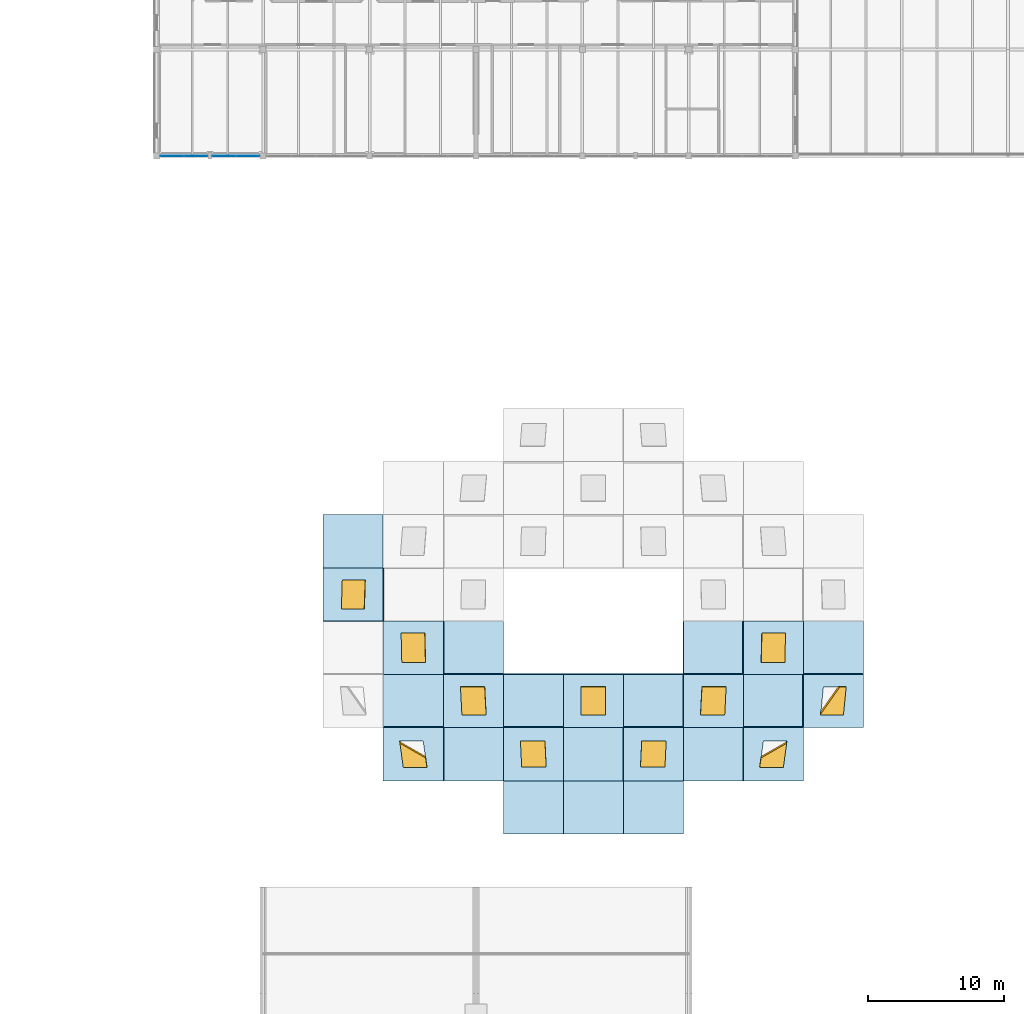
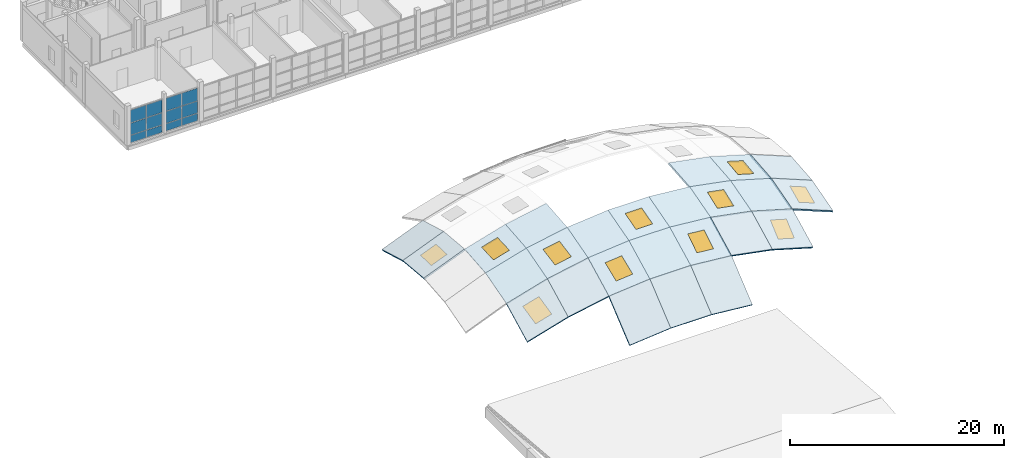
# One storey, part 21 of 45: 25 slabs, 12 plates, 11 windows, 11 openings, 2 elements without a shape of their own.
"""IFC4 building model written with IfcOpenShell, lengths in metres."""

from ifc_helpers import new_model, si_unit, direction, frame, origin, origin_2d, place, context, subcontext, project, spatial, polyline, rectangle, outline, extrude, material, layer, layer_set, type_object, element, fill, aggregate, save


model = new_model("IFC4")

# Units and contexts
model_context = context("Model", 3, precision=1e-05, world=origin(), true_north=direction((0.0, 1.0)))
body_context = subcontext(model_context, "Body", "Model", "MODEL_VIEW")
ifc_project = project(units=[si_unit("LENGTHUNIT", "METRE"), si_unit("AREAUNIT", "SQUARE_METRE"), si_unit("VOLUMEUNIT", "CUBIC_METRE"), si_unit("PLANEANGLEUNIT", "RADIAN"), si_unit("MASSUNIT", "GRAM", prefix="KILO")], contexts=[model_context])

# Site, building, storey
site_placement = place(None, origin())
site = spatial("IfcSite", under=ifc_project, at=site_placement, CompositionType="ELEMENT")
building_placement = place(site_placement, origin())
building = spatial("IfcBuilding", under=site, at=building_placement, Name="Celorna Specialist Clinic", CompositionType="ELEMENT")
storey_placement = place(building_placement, frame((0.0, 0.0, 18.60009765625)))
storey = spatial("IfcBuildingStorey", under=building, at=storey_placement, Name="L04", CompositionType="ELEMENT", Elevation=18.60009765625)

# Curtain wall, plates
ifc_material_1 = material(Name="Thermally broken aluminium and solar-control glass curtain wall", Category="aluminium")
ifc_layer_1 = layer(ifc_material_1, 0.159912109375, Name="Thermally broken aluminium and solar-control glass curtain wall")
ifc_layer_set_1 = layer_set([ifc_layer_1], Name="Thermally broken aluminium and solar-control glass curtain wall")
curtain_wall_type = type_object("IfcCurtainWallType", Name="CW-72", PredefinedType="NOTDEFINED", material=ifc_layer_set_1)
curtain_wall_1_placement = place(storey_placement, origin())
curtain_wall_1 = element("IfcCurtainWall", 1, at=curtain_wall_1_placement, inside=storey, type_object=curtain_wall_type, Name="Curtain wall CW-72 #137", PredefinedType="NOTDEFINED")
ifc_material_2 = material(Name="Glazed polychrome ceramic insulated spandrel")
ifc_layer_2 = layer(ifc_material_2, 0.0439453125, Name="Glazed polychrome ceramic insulated spandrel")
ifc_layer_set_2 = layer_set([ifc_layer_2], Name="Glazed polychrome ceramic insulated spandrel")
plate_type = type_object("IfcPlateType", Name="CPN-03", PredefinedType="CURTAIN_PANEL", material=ifc_layer_set_2)
plate_1_placement = place(storey_placement, frame((53.479248046875, 96.5, 0.0498046875), z_axis=(0.0, 0.0, 1.0), x_axis=(-1.0, 0.0, 0.0)))
plate_1 = element("IfcPlate", 2, at=plate_1_placement, type_object=plate_type, Name="CW-72 panel 1.1", PredefinedType="CURTAIN_PANEL", context=body_context, shape_type="SweptSolid", body=[
    extrude(rectangle(XDim=1.68359375, YDim=0.0439453125, at=origin_2d()), origin(), (0.0, 0.0, 1.0), 0.824951171875),
])
plate_2_placement = place(storey_placement, frame((53.479248046875, 96.5, 0.9248046875), z_axis=(0.0, 0.0, 1.0), x_axis=(-1.0, 0.0, 0.0)))
plate_2 = element("IfcPlate", 3, at=plate_2_placement, type_object=plate_type, Name="CW-72 panel 1.2", PredefinedType="CURTAIN_PANEL", context=body_context, shape_type="SweptSolid", body=[
    extrude(rectangle(XDim=1.68359375, YDim=0.0439453125, at=origin_2d()), origin(), (0.0, 0.0, 1.0), 1.35009765625),
])
plate_3_placement = place(storey_placement, frame((53.479248046875, 96.5, 2.32470703125), z_axis=(0.0, 0.0, 1.0), x_axis=(-1.0, 0.0, 0.0)))
plate_3 = element("IfcPlate", 4, at=plate_3_placement, type_object=plate_type, Name="CW-72 panel 1.3", PredefinedType="CURTAIN_PANEL", context=body_context, shape_type="SweptSolid", body=[
    extrude(rectangle(XDim=1.68359375, YDim=0.0439453125, at=origin_2d()), origin(), (0.0, 0.0, 1.0), 1.445068359375),
])
plate_4_placement = place(storey_placement, frame((51.745849609375, 96.5, 0.0498046875), z_axis=(0.0, 0.0, 1.0), x_axis=(-1.0, 0.0, 0.0)))
plate_4 = element("IfcPlate", 5, at=plate_4_placement, type_object=plate_type, Name="CW-72 panel 2.1", PredefinedType="CURTAIN_PANEL", context=body_context, shape_type="SweptSolid", body=[
    extrude(rectangle(XDim=1.68359375, YDim=0.0439453125, at=origin_2d()), origin(), (0.0, 0.0, 1.0), 0.824951171875),
])
plate_5_placement = place(storey_placement, frame((51.745849609375, 96.5, 0.9248046875), z_axis=(0.0, 0.0, 1.0), x_axis=(-1.0, 0.0, 0.0)))
plate_5 = element("IfcPlate", 6, at=plate_5_placement, type_object=plate_type, Name="CW-72 panel 2.2", PredefinedType="CURTAIN_PANEL", context=body_context, shape_type="SweptSolid", body=[
    extrude(rectangle(XDim=1.68359375, YDim=0.0439453125, at=origin_2d()), origin(), (0.0, 0.0, 1.0), 1.35009765625),
])
plate_6_placement = place(storey_placement, frame((51.745849609375, 96.5, 2.32470703125), z_axis=(0.0, 0.0, 1.0), x_axis=(-1.0, 0.0, 0.0)))
plate_6 = element("IfcPlate", 7, at=plate_6_placement, type_object=plate_type, Name="CW-72 panel 2.3", PredefinedType="CURTAIN_PANEL", context=body_context, shape_type="SweptSolid", body=[
    extrude(rectangle(XDim=1.68359375, YDim=0.0439453125, at=origin_2d()), origin(), (0.0, 0.0, 1.0), 1.445068359375),
])
aggregate(curtain_wall_1, [plate_1, plate_2, plate_3, plate_4, plate_5, plate_6])

curtain_wall_2_placement = place(storey_placement, origin())
curtain_wall_2 = element("IfcCurtainWall", 8, at=curtain_wall_2_placement, inside=storey, type_object=curtain_wall_type, Name="Curtain wall CW-72 #138", PredefinedType="NOTDEFINED")
plate_7_placement = place(storey_placement, frame((49.654296875, 96.5, 0.0498046875), z_axis=(0.0, 0.0, 1.0), x_axis=(-1.0, 0.0, 0.0)))
plate_7 = element("IfcPlate", 9, at=plate_7_placement, type_object=plate_type, Name="CW-72 panel 1.1", PredefinedType="CURTAIN_PANEL", context=body_context, shape_type="SweptSolid", body=[
    extrude(rectangle(XDim=1.68359375, YDim=0.0439453125, at=origin_2d()), origin(), (0.0, 0.0, 1.0), 0.824951171875),
])
plate_8_placement = place(storey_placement, frame((49.654296875, 96.5, 0.9248046875), z_axis=(0.0, 0.0, 1.0), x_axis=(-1.0, 0.0, 0.0)))
plate_8 = element("IfcPlate", 10, at=plate_8_placement, type_object=plate_type, Name="CW-72 panel 1.2", PredefinedType="CURTAIN_PANEL", context=body_context, shape_type="SweptSolid", body=[
    extrude(rectangle(XDim=1.68359375, YDim=0.0439453125, at=origin_2d()), origin(), (0.0, 0.0, 1.0), 1.35009765625),
])
plate_9_placement = place(storey_placement, frame((49.654296875, 96.5, 2.32470703125), z_axis=(0.0, 0.0, 1.0), x_axis=(-1.0, 0.0, 0.0)))
plate_9 = element("IfcPlate", 11, at=plate_9_placement, type_object=plate_type, Name="CW-72 panel 1.3", PredefinedType="CURTAIN_PANEL", context=body_context, shape_type="SweptSolid", body=[
    extrude(rectangle(XDim=1.68359375, YDim=0.0439453125, at=origin_2d()), origin(), (0.0, 0.0, 1.0), 1.445068359375),
])
plate_10_placement = place(storey_placement, frame((47.920654296875, 96.5, 0.0498046875), z_axis=(0.0, 0.0, 1.0), x_axis=(-1.0, 0.0, 0.0)))
plate_10 = element("IfcPlate", 12, at=plate_10_placement, type_object=plate_type, Name="CW-72 panel 2.1", PredefinedType="CURTAIN_PANEL", context=body_context, shape_type="SweptSolid", body=[
    extrude(rectangle(XDim=1.68359375, YDim=0.0439453125, at=origin_2d()), origin(), (0.0, 0.0, 1.0), 0.824951171875),
])
plate_11_placement = place(storey_placement, frame((47.920654296875, 96.5, 0.9248046875), z_axis=(0.0, 0.0, 1.0), x_axis=(-1.0, 0.0, 0.0)))
plate_11 = element("IfcPlate", 13, at=plate_11_placement, type_object=plate_type, Name="CW-72 panel 2.2", PredefinedType="CURTAIN_PANEL", context=body_context, shape_type="SweptSolid", body=[
    extrude(rectangle(XDim=1.68359375, YDim=0.0439453125, at=origin_2d()), origin(), (0.0, 0.0, 1.0), 1.35009765625),
])
plate_12_placement = place(storey_placement, frame((47.920654296875, 96.5, 2.32470703125), z_axis=(0.0, 0.0, 1.0), x_axis=(-1.0, 0.0, 0.0)))
plate_12 = element("IfcPlate", 14, at=plate_12_placement, type_object=plate_type, Name="CW-72 panel 2.3", PredefinedType="CURTAIN_PANEL", context=body_context, shape_type="SweptSolid", body=[
    extrude(rectangle(XDim=1.68359375, YDim=0.0439453125, at=origin_2d()), origin(), (0.0, 0.0, 1.0), 1.445068359375),
])
aggregate(curtain_wall_2, [plate_7, plate_8, plate_9, plate_10, plate_11, plate_12])

# Slab, opening, window
ifc_material_3 = material(Name="Glulam GL28h insulated roof deck", Category="wood")
ifc_layer_3 = layer(ifc_material_3, 0.179931640625, Name="Glulam GL28h insulated roof deck")
ifc_layer_set_3 = layer_set([ifc_layer_3], Name="Glulam GL28h insulated roof deck")
slab_type = type_object("IfcSlabType", Name="SL-12", PredefinedType="ROOF", material=ifc_layer_set_3)
slab_1_placement = place(storey_placement, frame((59.0, 62.39990234375, 1.12451171875), z_axis=(-0.372921049749, 0.084476737832, 0.924009508295), x_axis=(0.927324337434, 2.008244e-06, 0.374258698227)))
slab_1 = element("IfcSlab", 15, at=slab_1_placement, inside=storey, type_object=slab_type, Name="GSH-V1 translational gridshell roof facet 2-5", PredefinedType="ROOF", context=body_context, shape_type="SweptSolid", body=[
    extrude(outline(polyline([(0.0, 0.0), (4.744683281601669, 0.0), (4.611288355400632, 3.9141284651026975), (-0.13348629795353456, 3.914147590611451), (0.0, 0.0)])), origin(), (0.0, 0.0, -1.0), 0.179931640625),
])
opening_1_placement = place(slab_1_placement, frame((2.3056640625, 1.957275390625, 0.010009765625)))
opening_1 = element("IfcOpeningElement", 16, at=opening_1_placement, cuts=slab_1, Name="Opening SK-03", PredefinedType="OPENING", context=body_context, shape_type="SweptSolid", body=[
    extrude(rectangle(XDim=1.800048828125, YDim=2.139892578125, at=origin_2d()), origin(), (0.0, 0.0, -1.0), 0.199951171875),
])
ifc_material_4 = material(Name="Gridshell crown acoustic skylight")
window_type_1 = type_object("IfcWindowType", Name="SK-03", PartitioningType="SINGLE_PANEL", PredefinedType="SKYLIGHT", material=ifc_material_4)
window_1_placement = place(opening_1_placement, frame((0.0, 0.0, -0.010009765625)))
window_1 = element("IfcWindow", 17, at=window_1_placement, inside=storey, type_object=window_type_1, Name="GSH-V1 gridshell skylight 2-5", OverallHeight=2.139892578125, OverallWidth=1.800048828125, PartitioningType="SINGLE_PANEL", PredefinedType="SKYLIGHT", context=body_context, shape_type="SweptSolid", body=[
    extrude(rectangle(XDim=1.800048828125, YDim=2.139892578125, at=origin_2d()), origin(), (0.0, 0.0, -1.0), 0.050048828125),
])
fill(opening_1, window_1)

# Slab
slab_2_placement = place(storey_placement, frame((59.0, 66.300048828125, 0.767822265625), z_axis=(-0.36192747451, 0.25479901434, 0.896708406053), x_axis=(0.927315344547, 0.0, 0.374280979704)))
element("IfcSlab", 18, at=slab_2_placement, inside=storey, type_object=slab_type, Name="GSH-V1 translational gridshell roof facet 2-6", PredefinedType="ROOF", context=body_context, shape_type="SweptSolid", body=[
    extrude(outline(polyline([(0.0, 0.0), (4.744774654733399, 5.551115123125783e-17), (4.330013578835435, 4.0330159293498005), (-0.41476107589796357, 4.0330159293498005), (0.0, 0.0)])), origin(), (0.0, 0.0, -1.0), 0.179931640625),
])

# Slab, opening, window
slab_3_placement = place(storey_placement, frame((63.39990234375, 50.699951171875, -0.56201171875), z_axis=(-0.251864517352, -0.441166030101, 0.861357532494), x_axis=(0.959809509952, 0.0, 0.280652284162)))
slab_3 = element("IfcSlab", 19, at=slab_3_placement, inside=storey, type_object=slab_type, Name="GSH-V1 translational gridshell roof facet 3-2", PredefinedType="ROOF", context=body_context, shape_type="SweptSolid", body=[
    extrude(outline(polyline([(0.0, 0.0), (4.584395589697743, 1.1102230246251565e-16), (5.145014971780734, 4.3459278460968545), (0.5606193820829908, 4.3459278460968545), (0.0, 0.0)])), origin(), (0.0, 0.0, -1.0), 0.179931640625),
])
opening_2_placement = place(slab_3_placement, frame((2.572509765625, 2.1728515625, 0.010009765625)))
opening_2 = element("IfcOpeningElement", 20, at=opening_2_placement, cuts=slab_3, Name="Opening SK-02", PredefinedType="OPENING", context=body_context, shape_type="SweptSolid", body=[
    extrude(rectangle(XDim=1.800048828125, YDim=2.139892578125, at=origin_2d()), origin(), (0.0, 0.0, -1.0), 0.199951171875),
])
ifc_material_5 = material(Name="Outpatient atrium skylight lantern")
window_type_2 = type_object("IfcWindowType", Name="SK-02", PartitioningType="SINGLE_PANEL", PredefinedType="SKYLIGHT", material=ifc_material_5)
window_2_placement = place(opening_2_placement, frame((0.0, 0.0, -0.010009765625)))
window_2 = element("IfcWindow", 21, at=window_2_placement, inside=storey, type_object=window_type_2, Name="GSH-V1 gridshell skylight 3-2", OverallHeight=2.139892578125, OverallWidth=1.800048828125, PartitioningType="SINGLE_PANEL", PredefinedType="SKYLIGHT", context=body_context, shape_type="SweptSolid", body=[
    extrude(rectangle(XDim=1.800048828125, YDim=2.139892578125, at=origin_2d()), origin(), (0.0, 0.0, -1.0), 0.050048828125),
])
fill(opening_2, window_2)

# Slab
slab_4_placement = place(storey_placement, frame((63.39990234375, 54.60009765625, 1.435546875), z_axis=(-0.270763041406, -0.263119087234, 0.925989050336), x_axis=(0.959809509952, 0.0, 0.280652284162)))
element("IfcSlab", 22, at=slab_4_placement, inside=storey, type_object=slab_type, Name="GSH-V1 translational gridshell roof facet 3-3", PredefinedType="ROOF", context=body_context, shape_type="SweptSolid", body=[
    extrude(outline(polyline([(0.0, 0.0), (4.584395589697743, 0.0), (4.895401624319437, 4.042340841999616), (0.31100603462169335, 4.042340841999616), (0.0, 0.0)])), origin(), (0.0, 0.0, -1.0), 0.179931640625),
])

# Slab, opening, window
slab_5_placement = place(storey_placement, frame((63.39990234375, 58.5, 2.543701171875), z_axis=(-0.27960228925, -0.087418604449, 0.956127892827), x_axis=(0.959802391826, -2.225604e-06, 0.280676626459)))
slab_5 = element("IfcSlab", 23, at=slab_5_placement, inside=storey, type_object=slab_type, Name="GSH-V1 translational gridshell roof facet 3-4", PredefinedType="ROOF", context=body_context, shape_type="SweptSolid", body=[
    extrude(outline(polyline([(0.0, 0.0), (4.584395588212013, 1.3877787807814457e-17), (4.684501300971875, 3.9149003166629734), (0.1000371881928549, 3.9148798319930695), (0.0, 0.0)])), origin(), (0.0, 0.0, -1.0), 0.179931640625),
])
opening_3_placement = place(slab_5_placement, frame((2.34228515625, 1.95751953125, 0.010009765625)))
opening_3 = element("IfcOpeningElement", 24, at=opening_3_placement, cuts=slab_5, Name="Opening SK-03", PredefinedType="OPENING", context=body_context, shape_type="SweptSolid", body=[
    extrude(rectangle(XDim=1.800048828125, YDim=2.139892578125, at=origin_2d()), origin(), (0.0, 0.0, -1.0), 0.199951171875),
])
window_3_placement = place(opening_3_placement, frame((0.0, 0.0, -0.010009765625)))
window_3 = element("IfcWindow", 25, at=window_3_placement, inside=storey, type_object=window_type_1, Name="GSH-V1 gridshell skylight 3-4", OverallHeight=2.139892578125, OverallWidth=1.800048828125, PartitioningType="SINGLE_PANEL", PredefinedType="SKYLIGHT", context=body_context, shape_type="SweptSolid", body=[
    extrude(rectangle(XDim=1.800048828125, YDim=2.139892578125, at=origin_2d()), origin(), (0.0, 0.0, -1.0), 0.050048828125),
])
fill(opening_3, window_3)

# Slab
slab_6_placement = place(storey_placement, frame((67.800048828125, 50.699951171875, 0.724609375), z_axis=(-0.167159665303, -0.449447825064, 0.87752737783), x_axis=(0.982336180889, 0.0, 0.187124631506)))
element("IfcSlab", 26, at=slab_6_placement, inside=storey, type_object=slab_type, Name="GSH-V1 translational gridshell roof facet 4-2", PredefinedType="ROOF", context=body_context, shape_type="SweptSolid", body=[
    extrude(outline(polyline([(0.0, 0.0), (4.479018923814234, 0.0), (4.852811339580392, 4.3659663494995975), (0.37379241576615824, 4.365966349499598), (0.0, 0.0)])), origin(), (0.0, 0.0, -1.0), 0.179931640625),
])

# Slab, opening, window
slab_7_placement = place(storey_placement, frame((67.800048828125, 54.60009765625, 2.72216796875), z_axis=(-0.180234938172, -0.268852863528, 0.946167799513), x_axis=(0.982336180889, 0.0, 0.187124631506)))
slab_7 = element("IfcSlab", 27, at=slab_7_placement, inside=storey, type_object=slab_type, Name="GSH-V1 translational gridshell roof facet 4-3", PredefinedType="ROOF", context=body_context, shape_type="SweptSolid", body=[
    extrude(outline(polyline([(0.0, 0.0), (4.479018923814234, 0.0), (4.6863818882682295, 4.04898071586444), (0.20736296445399563, 4.04898071586444), (0.0, 0.0)])), origin(), (0.0, 0.0, -1.0), 0.179931640625),
])
opening_4_placement = place(slab_7_placement, frame((2.34326171875, 2.0244140625, 0.010009765625)))
opening_4 = element("IfcOpeningElement", 28, at=opening_4_placement, cuts=slab_7, Name="Opening SK-02", PredefinedType="OPENING", context=body_context, shape_type="SweptSolid", body=[
    extrude(rectangle(XDim=1.800048828125, YDim=2.139892578125, at=origin_2d()), origin(), (0.0, 0.0, -1.0), 0.199951171875),
])
window_4_placement = place(opening_4_placement, frame((0.0, 0.0, -0.010009765625)))
window_4 = element("IfcWindow", 29, at=window_4_placement, inside=storey, type_object=window_type_2, Name="GSH-V1 gridshell skylight 4-3", OverallHeight=2.139892578125, OverallWidth=1.800048828125, PartitioningType="SINGLE_PANEL", PredefinedType="SKYLIGHT", context=body_context, shape_type="SweptSolid", body=[
    extrude(rectangle(XDim=1.800048828125, YDim=2.139892578125, at=origin_2d()), origin(), (0.0, 0.0, -1.0), 0.050048828125),
])
fill(opening_4, window_4)

# Slabs
slab_8_placement = place(storey_placement, frame((67.800048828125, 58.5, 3.830322265625), z_axis=(-0.186373917186, -0.089485125399, 0.978395204059), x_axis=(0.982336180889, 0.0, 0.187124631506)))
element("IfcSlab", 30, at=slab_8_placement, inside=storey, type_object=slab_type, Name="GSH-V1 translational gridshell roof facet 4-4", PredefinedType="ROOF", context=body_context, shape_type="SweptSolid", body=[
    extrude(outline(polyline([(0.0, 0.0), (4.479018923814234, 1.3877787807814457e-17), (4.545764306292155, 3.915611154171878), (0.06674538247792192, 3.9156111541718785), (0.0, 0.0)])), origin(), (0.0, 0.0, -1.0), 0.179931640625),
])
slab_9_placement = place(storey_placement, frame((72.199951171875, 46.800048828125, -1.679931640625), z_axis=(-0.072061583941, -0.637693264778, 0.766912268892), x_axis=(0.995615516955, -1.3508053e-05, 0.093540056749)))
element("IfcSlab", 31, at=slab_9_placement, inside=storey, type_object=slab_type, Name="GSH-V1 translational gridshell roof facet 5-1", PredefinedType="ROOF", context=body_context, shape_type="SweptSolid", body=[
    extrude(outline(polyline([(0.0, 0.0), (4.419517035681197, 5.551115123125783e-17), (4.722807269117144, 5.062981625091947), (0.3032673965080303, 5.0628266206283525), (0.0, 0.0)])), origin(), (0.0, 0.0, -1.0), 0.179931640625),
])

# Slab, opening, window
slab_10_placement = place(storey_placement, frame((72.199951171875, 50.699951171875, 1.562744140625), z_axis=(-0.08334215939, -0.454253935344, 0.886965301854), x_axis=(0.995613940018, 1.1128544e-05, 0.093556840038)))
slab_10 = element("IfcSlab", 32, at=slab_10_placement, inside=storey, type_object=slab_type, Name="GSH-V1 translational gridshell roof facet 5-2", PredefinedType="ROOF", context=body_context, shape_type="SweptSolid", body=[
    extrude(outline(polyline([(0.0, 0.0), (4.419539874992587, 0.0), (4.606445706739041, 4.377838944340118), (0.18692867277185413, 4.377949359531246), (0.0, 0.0)])), origin(), (0.0, 0.0, -1.0), 0.179931640625),
])
opening_5_placement = place(slab_10_placement, frame((2.302978515625, 2.188720703125, 0.010009765625)))
opening_5 = element("IfcOpeningElement", 33, at=opening_5_placement, cuts=slab_10, Name="Opening SK-02", PredefinedType="OPENING", context=body_context, shape_type="SweptSolid", body=[
    extrude(rectangle(XDim=1.800048828125, YDim=2.139892578125, at=origin_2d()), origin(), (0.0, 0.0, -1.0), 0.199951171875),
])
window_5_placement = place(opening_5_placement, frame((0.0, 0.0, -0.010009765625)))
window_5 = element("IfcWindow", 34, at=window_5_placement, inside=storey, type_object=window_type_2, Name="GSH-V1 gridshell skylight 5-2", OverallHeight=2.139892578125, OverallWidth=1.800048828125, PartitioningType="SINGLE_PANEL", PredefinedType="SKYLIGHT", context=body_context, shape_type="SweptSolid", body=[
    extrude(rectangle(XDim=1.800048828125, YDim=2.139892578125, at=origin_2d()), origin(), (0.0, 0.0, -1.0), 0.050048828125),
])
fill(opening_5, window_5)

# Slabs
slab_11_placement = place(storey_placement, frame((72.199951171875, 54.60009765625, 3.560302734375), z_axis=(-0.08999188901, -0.272219978518, 0.958017611116), x_axis=(0.995617043189, 0.0, 0.09352381147)))
element("IfcSlab", 35, at=slab_11_placement, inside=storey, type_object=slab_type, Name="GSH-V1 translational gridshell roof facet 5-3", PredefinedType="ROOF", context=body_context, shape_type="SweptSolid", body=[
    extrude(outline(polyline([(0.0, 0.0), (4.419517036672728, 0.0), (4.523155850213026, 4.0529622787286375), (0.10363881354029868, 4.0529622787286375), (0.0, 0.0)])), origin(), (0.0, 0.0, -1.0), 0.179931640625),
])
slab_12_placement = place(storey_placement, frame((76.60009765625, 46.800048828125, -1.2666015625), z_axis=(0.0, -0.639369700037, 0.768899464608), x_axis=(1.0, 0.0, 0.0)))
element("IfcSlab", 36, at=slab_12_placement, inside=storey, type_object=slab_type, Name="GSH-V1 translational gridshell roof facet 6-1", PredefinedType="ROOF", context=body_context, shape_type="SweptSolid", body=[
    extrude(outline(polyline([(0.0, 0.0), (4.39990234375, 0.0), (4.39990234375, 5.072057561826414), (0.0, 5.072057561826414), (0.0, 0.0)])), origin(), (0.0, 0.0, -1.0), 0.179931640625),
])
slab_13_placement = place(storey_placement, frame((76.60009765625, 50.699951171875, 1.976318359375), z_axis=(0.0, -0.455817736592, 0.89007313801), x_axis=(1.0, 0.0, 0.0)))
element("IfcSlab", 37, at=slab_13_placement, inside=storey, type_object=slab_type, Name="GSH-V1 translational gridshell roof facet 6-2", PredefinedType="ROOF", context=body_context, shape_type="SweptSolid", body=[
    extrude(outline(polyline([(0.0, 0.0), (4.39990234375, 0.0), (4.39990234375, 4.381826973334832), (0.0, 4.381826973334832), (0.0, 0.0)])), origin(), (0.0, 0.0, -1.0), 0.179931640625),
])

# Slab, opening, window
slab_14_placement = place(storey_placement, frame((76.60009765625, 54.60009765625, 3.9736328125), z_axis=(0.0, -0.273329011448, 0.961920605612), x_axis=(1.0, 0.0, 0.0)))
slab_14 = element("IfcSlab", 38, at=slab_14_placement, inside=storey, type_object=slab_type, Name="GSH-V1 translational gridshell roof facet 6-3", PredefinedType="ROOF", context=body_context, shape_type="SweptSolid", body=[
    extrude(outline(polyline([(0.0, 0.0), (4.39990234375, 0.0), (4.39990234375, 4.054287142824157), (0.0, 4.054287142824157), (0.0, 0.0)])), origin(), (0.0, 0.0, -1.0), 0.179931640625),
])
opening_6_placement = place(slab_14_placement, frame((2.199951171875, 2.027099609375, 0.010009765625)))
opening_6 = element("IfcOpeningElement", 39, at=opening_6_placement, cuts=slab_14, Name="Opening SK-02", PredefinedType="OPENING", context=body_context, shape_type="SweptSolid", body=[
    extrude(rectangle(XDim=1.800048828125, YDim=2.139892578125, at=origin_2d()), origin(), (0.0, 0.0, -1.0), 0.199951171875),
])
window_6_placement = place(opening_6_placement, frame((0.0, 0.0, -0.010009765625)))
window_6 = element("IfcWindow", 40, at=window_6_placement, inside=storey, type_object=window_type_2, Name="GSH-V1 gridshell skylight 6-3", OverallHeight=2.139892578125, OverallWidth=1.800048828125, PartitioningType="SINGLE_PANEL", PredefinedType="SKYLIGHT", context=body_context, shape_type="SweptSolid", body=[
    extrude(rectangle(XDim=1.800048828125, YDim=2.139892578125, at=origin_2d()), origin(), (0.0, 0.0, -1.0), 0.050048828125),
])
fill(opening_6, window_6)

# Slab
slab_15_placement = place(storey_placement, frame((81.0, 46.800048828125, -1.2666015625), z_axis=(0.07206556171, -0.637693081027, 0.766912047907), x_axis=(0.995615033566, 1.3508788e-05, -0.093545201664)))
element("IfcSlab", 41, at=slab_15_placement, inside=storey, type_object=slab_type, Name="GSH-V1 translational gridshell roof facet 7-1", PredefinedType="ROOF", context=body_context, shape_type="SweptSolid", body=[
    extrude(outline(polyline([(0.0, 0.0), (4.419273965172943, 0.0), (4.115989888241659, 5.062825621429974), (-0.3033069151152834, 5.0629806257736725), (0.0, 0.0)])), origin(), (0.0, 0.0, -1.0), 0.179931640625),
])

# Slab, opening, window
slab_16_placement = place(storey_placement, frame((81.0, 50.699951171875, 1.976318359375), z_axis=(0.083346751734, -0.454253760264, 0.886964959997), x_axis=(0.995613456458, -1.1129147e-05, -0.093561985849)))
slab_16 = element("IfcSlab", 42, at=slab_16_placement, inside=storey, type_object=slab_type, Name="GSH-V1 translational gridshell roof facet 7-2", PredefinedType="ROOF", context=body_context, shape_type="SweptSolid", body=[
    extrude(outline(polyline([(0.0, 0.0), (4.419296805740544, 0.0), (4.2323578515563565, 4.377948920525778), (-0.18691611190248655, 4.3778385054308595), (0.0, 0.0)])), origin(), (0.0, 0.0, -1.0), 0.179931640625),
])
opening_7_placement = place(slab_16_placement, frame((2.1162109375, 2.188720703125, 0.010009765625)))
opening_7 = element("IfcOpeningElement", 43, at=opening_7_placement, cuts=slab_16, Name="Opening SK-02", PredefinedType="OPENING", context=body_context, shape_type="SweptSolid", body=[
    extrude(rectangle(XDim=1.800048828125, YDim=2.139892578125, at=origin_2d()), origin(), (0.0, 0.0, -1.0), 0.199951171875),
])
window_7_placement = place(opening_7_placement, frame((0.0, 0.0, -0.010009765625)))
window_7 = element("IfcWindow", 44, at=window_7_placement, inside=storey, type_object=window_type_2, Name="GSH-V1 gridshell skylight 7-2", OverallHeight=2.139892578125, OverallWidth=1.800048828125, PartitioningType="SINGLE_PANEL", PredefinedType="SKYLIGHT", context=body_context, shape_type="SweptSolid", body=[
    extrude(rectangle(XDim=1.800048828125, YDim=2.139892578125, at=origin_2d()), origin(), (0.0, 0.0, -1.0), 0.050048828125),
])
fill(opening_7, window_7)

# Slabs
slab_17_placement = place(storey_placement, frame((81.0, 54.60009765625, 3.9736328125), z_axis=(0.089996842013, -0.272219856188, 0.9580171806), x_axis=(0.995616559968, 0.0, -0.0935289555)))
element("IfcSlab", 45, at=slab_17_placement, inside=storey, type_object=slab_type, Name="GSH-V1 translational gridshell roof facet 7-3", PredefinedType="ROOF", context=body_context, shape_type="SweptSolid", body=[
    extrude(outline(polyline([(0.0, 0.0), (4.419273966164528, -1.3877787807814457e-17), (4.315629452244649, 4.052962132959495), (-0.10364451391987897, 4.052962132959495), (0.0, 0.0)])), origin(), (0.0, 0.0, -1.0), 0.179931640625),
])
slab_18_placement = place(storey_placement, frame((85.39990234375, 50.699951171875, 1.562744140625), z_axis=(0.167150649645, -0.449448521858, 0.877528738289), x_axis=(0.982338089354, 0.0, -0.187114612481)))
element("IfcSlab", 46, at=slab_18_placement, inside=storey, type_object=slab_type, Name="GSH-V1 translational gridshell roof facet 8-2", PredefinedType="ROOF", context=body_context, shape_type="SweptSolid", body=[
    extrude(outline(polyline([(0.0, 0.0), (4.47925875221637, -5.551115123125783e-17), (4.105486350037897, 4.3659680629176485), (-0.3737724021784728, 4.3659680629176485), (0.0, 0.0)])), origin(), (0.0, 0.0, -1.0), 0.179931640625),
])

# Slab, opening, window
slab_19_placement = place(storey_placement, frame((85.39990234375, 54.60009765625, 3.560302734375), z_axis=(0.180225262727, -0.268853348096, 0.946169504842), x_axis=(0.982338089354, 0.0, -0.187114612481)))
slab_19 = element("IfcSlab", 47, at=slab_19_placement, inside=storey, type_object=slab_type, Name="GSH-V1 translational gridshell roof facet 8-3", PredefinedType="ROOF", context=body_context, shape_type="SweptSolid", body=[
    extrude(outline(polyline([(0.0, 0.0), (4.47925875221637, 0.0), (4.271906890386978, 4.04898128445479), (-0.20735186182939233, 4.04898128445479), (0.0, 0.0)])), origin(), (0.0, 0.0, -1.0), 0.179931640625),
])
opening_8_placement = place(slab_19_placement, frame((2.135986328125, 2.0244140625, 0.010009765625)))
opening_8 = element("IfcOpeningElement", 48, at=opening_8_placement, cuts=slab_19, Name="Opening SK-02", PredefinedType="OPENING", context=body_context, shape_type="SweptSolid", body=[
    extrude(rectangle(XDim=1.800048828125, YDim=2.139892578125, at=origin_2d()), origin(), (0.0, 0.0, -1.0), 0.199951171875),
])
window_8_placement = place(opening_8_placement, frame((0.0, 0.0, -0.010009765625)))
window_8 = element("IfcWindow", 49, at=window_8_placement, inside=storey, type_object=window_type_2, Name="GSH-V1 gridshell skylight 8-3", OverallHeight=2.139892578125, OverallWidth=1.800048828125, PartitioningType="SINGLE_PANEL", PredefinedType="SKYLIGHT", context=body_context, shape_type="SweptSolid", body=[
    extrude(rectangle(XDim=1.800048828125, YDim=2.139892578125, at=origin_2d()), origin(), (0.0, 0.0, -1.0), 0.050048828125),
])
fill(opening_8, window_8)

# Slab
slab_20_placement = place(storey_placement, frame((85.39990234375, 58.5, 4.66845703125), z_axis=(0.186363935458, -0.089485297857, 0.978397089646), x_axis=(0.982338089354, 0.0, -0.187114612481)))
element("IfcSlab", 50, at=slab_20_placement, inside=storey, type_object=slab_type, Name="GSH-V1 translational gridshell roof facet 8-4", PredefinedType="ROOF", context=body_context, shape_type="SweptSolid", body=[
    extrude(outline(polyline([(0.0, 0.0), (4.47925875221637, 0.0), (4.412516943418674, 3.9156112150870865), (-0.066741808797696, 3.9156112150870865), (0.0, 0.0)])), origin(), (0.0, 0.0, -1.0), 0.179931640625),
])

# Slab, opening, window
slab_21_placement = place(storey_placement, frame((89.800048828125, 50.699951171875, 0.724609375), z_axis=(0.251877606136, -0.441164477203, 0.861354500529), x_axis=(0.959805314986, 0.0, -0.280666630229)))
slab_21 = element("IfcSlab", 51, at=slab_21_placement, inside=storey, type_object=slab_type, Name="GSH-V1 translational gridshell roof facet 9-2", PredefinedType="ROOF", context=body_context, shape_type="SweptSolid", body=[
    extrude(outline(polyline([(0.0, 0.0), (4.58416126171617, 0.0), (4.023513222524335, 4.345924149268772), (-0.5606480391918346, 4.345924149268773), (0.0, 0.0)])), origin(), (0.0, 0.0, -1.0), 0.179931640625),
])
opening_9_placement = place(slab_21_placement, frame((2.01171875, 2.1728515625, 0.010009765625)))
opening_9 = element("IfcOpeningElement", 52, at=opening_9_placement, cuts=slab_21, Name="Opening SK-02", PredefinedType="OPENING", context=body_context, shape_type="SweptSolid", body=[
    extrude(rectangle(XDim=1.800048828125, YDim=2.139892578125, at=origin_2d()), origin(), (0.0, 0.0, -1.0), 0.199951171875),
])
window_9_placement = place(opening_9_placement, frame((0.0, 0.0, -0.010009765625)))
window_9 = element("IfcWindow", 53, at=window_9_placement, inside=storey, type_object=window_type_2, Name="GSH-V1 gridshell skylight 9-2", OverallHeight=2.139892578125, OverallWidth=1.800048828125, PartitioningType="SINGLE_PANEL", PredefinedType="SKYLIGHT", context=body_context, shape_type="SweptSolid", body=[
    extrude(rectangle(XDim=1.800048828125, YDim=2.139892578125, at=origin_2d()), origin(), (0.0, 0.0, -1.0), 0.050048828125),
])
fill(opening_9, window_9)

# Slab
slab_22_placement = place(storey_placement, frame((89.800048828125, 54.60009765625, 2.72216796875), z_axis=(0.270776963899, -0.263118016855, 0.925985283375), x_axis=(0.959805314986, 0.0, -0.280666630229)))
element("IfcSlab", 54, at=slab_22_placement, inside=storey, type_object=slab_type, Name="GSH-V1 translational gridshell roof facet 9-3", PredefinedType="ROOF", context=body_context, shape_type="SweptSolid", body=[
    extrude(outline(polyline([(0.0, 0.0), (4.58416126171617, 5.551115123125783e-17), (4.273139329439008, 4.042339618848453), (-0.3110219322771617, 4.042339618848453), (0.0, 0.0)])), origin(), (0.0, 0.0, -1.0), 0.179931640625),
])

# Slab, opening, window
slab_23_placement = place(storey_placement, frame((89.800048828125, 58.5, 3.830322265625), z_axis=(0.279616590771, -0.087418225229, 0.956123745162), x_axis=(0.959798196163, 2.225698e-06, -0.280690973559)))
slab_23 = element("IfcSlab", 55, at=slab_23_placement, inside=storey, type_object=slab_type, Name="GSH-V1 translational gridshell roof facet 9-4", PredefinedType="ROOF", context=body_context, shape_type="SweptSolid", body=[
    extrude(outline(polyline([(0.0, 0.0), (4.584161260230377, -1.3877787807814457e-17), (4.484118958449412, 3.9148797013218806), (-0.10011082985068182, 3.9149001858133916), (0.0, 0.0)])), origin(), (0.0, 0.0, -1.0), 0.179931640625),
])
opening_10_placement = place(slab_23_placement, frame((2.241943359375, 1.95751953125, 0.010009765625)))
opening_10 = element("IfcOpeningElement", 56, at=opening_10_placement, cuts=slab_23, Name="Opening SK-03", PredefinedType="OPENING", context=body_context, shape_type="SweptSolid", body=[
    extrude(rectangle(XDim=1.800048828125, YDim=2.139892578125, at=origin_2d()), origin(), (0.0, 0.0, -1.0), 0.199951171875),
])
window_10_placement = place(opening_10_placement, frame((0.0, 0.0, -0.010009765625)))
window_10 = element("IfcWindow", 57, at=window_10_placement, inside=storey, type_object=window_type_1, Name="GSH-V1 gridshell skylight 9-4", OverallHeight=2.139892578125, OverallWidth=1.800048828125, PartitioningType="SINGLE_PANEL", PredefinedType="SKYLIGHT", context=body_context, shape_type="SweptSolid", body=[
    extrude(rectangle(XDim=1.800048828125, YDim=2.139892578125, at=origin_2d()), origin(), (0.0, 0.0, -1.0), 0.050048828125),
])
fill(opening_10, window_10)

slab_24_placement = place(storey_placement, frame((94.199951171875, 54.60009765625, 1.435546875), z_axis=(0.361910023393, -0.254800866193, 0.896714923236), x_axis=(0.927322552117, 0.0, -0.374263121794)))
slab_24 = element("IfcSlab", 58, at=slab_24_placement, inside=storey, type_object=slab_type, Name="GSH-V1 translational gridshell roof facet 10-3", PredefinedType="ROOF", context=body_context, shape_type="SweptSolid", body=[
    extrude(outline(polyline([(0.0, 0.0), (4.745001050961039, 5.551115123125783e-17), (4.330259764382814, 4.033017964462433), (-0.41474128657822534, 4.033017964462433), (0.0, 0.0)])), origin(), (0.0, 0.0, -1.0), 0.179931640625),
])
opening_11_placement = place(slab_24_placement, frame((2.1650390625, 2.0166015625, 0.010009765625)))
opening_11 = element("IfcOpeningElement", 59, at=opening_11_placement, cuts=slab_24, Name="Opening SK-02", PredefinedType="OPENING", context=body_context, shape_type="SweptSolid", body=[
    extrude(rectangle(XDim=1.800048828125, YDim=2.139892578125, at=origin_2d()), origin(), (0.0, 0.0, -1.0), 0.199951171875),
])
window_11_placement = place(opening_11_placement, frame((0.0, 0.0, -0.010009765625)))
window_11 = element("IfcWindow", 60, at=window_11_placement, inside=storey, type_object=window_type_2, Name="GSH-V1 gridshell skylight 10-3", OverallHeight=2.139892578125, OverallWidth=1.800048828125, PartitioningType="SINGLE_PANEL", PredefinedType="SKYLIGHT", context=body_context, shape_type="SweptSolid", body=[
    extrude(rectangle(XDim=1.800048828125, YDim=2.139892578125, at=origin_2d()), origin(), (0.0, 0.0, -1.0), 0.050048828125),
])
fill(opening_11, window_11)

# Slab
slab_25_placement = place(storey_placement, frame((94.199951171875, 58.5, 2.543701171875), z_axis=(0.3729030691, -0.084482640352, 0.924016225255), x_axis=(0.927331416778, -2.008264e-06, -0.374241156813)))
element("IfcSlab", 61, at=slab_25_placement, inside=storey, type_object=slab_type, Name="GSH-V1 translational gridshell roof facet 10-4", PredefinedType="ROOF", context=body_context, shape_type="SweptSolid", body=[
    extrude(outline(polyline([(0.0, 0.0), (4.745001049620397, -2.7755575615628914e-17), (4.611505344026294, 3.913904002479186), (-0.13340433812417823, 3.9138848758537748), (0.0, 0.0)])), origin(), (0.0, 0.0, -1.0), 0.179931640625),
])

save(model, "model.ifc")
